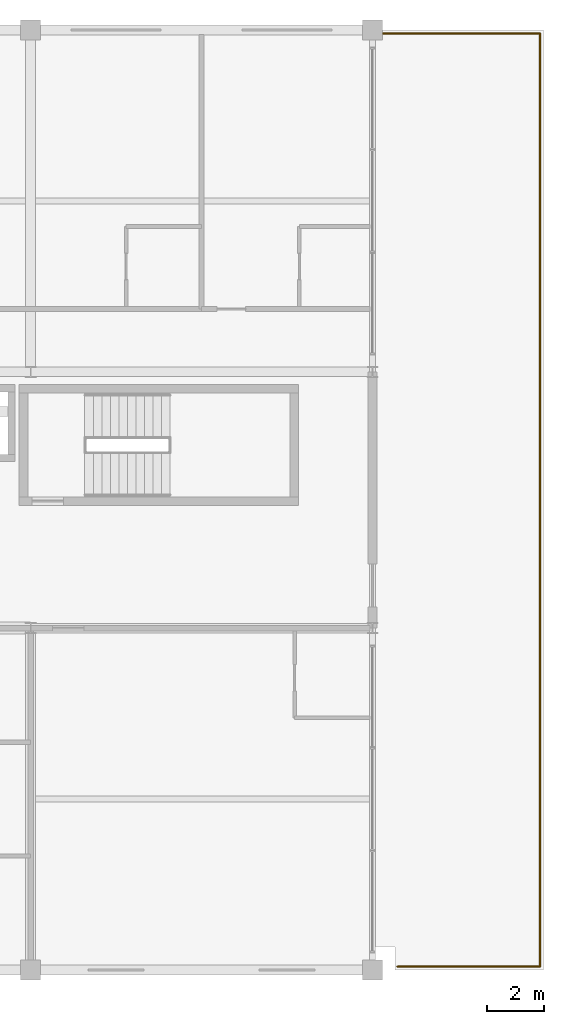
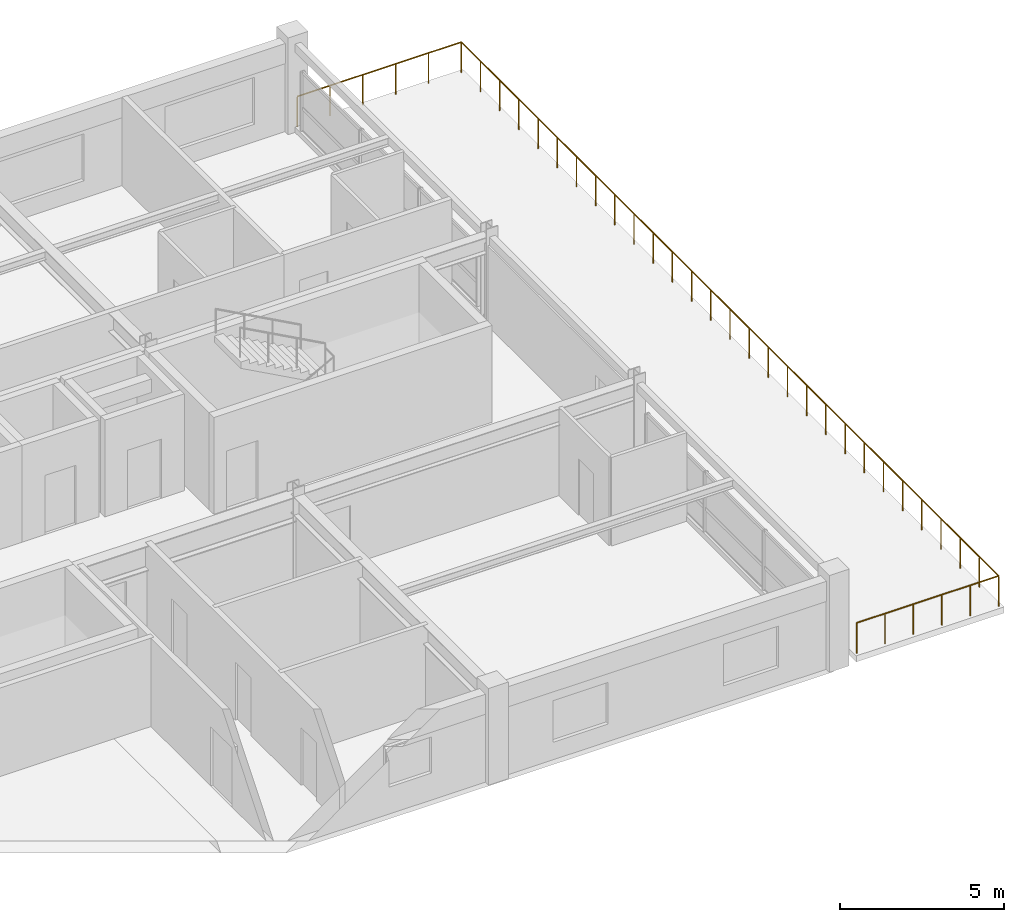
# One storey, part 24 of 24: 1 railing.
"""IFC4 building model written with IfcOpenShell, lengths in metres."""

from ifc_helpers import new_model, si_unit, direction, frame, origin, origin_2d, place, context, subcontext, project, spatial, circle, extrude, material, type_object, element, save


model = new_model("IFC4")

# Units and contexts
model_context = context("Model", 3, precision=1e-05, world=origin(), true_north=direction((0.0, 1.0)))
body_context = subcontext(model_context, "Body", "Model", "MODEL_VIEW")
ifc_project = project(units=[si_unit("LENGTHUNIT", "METRE"), si_unit("AREAUNIT", "SQUARE_METRE"), si_unit("VOLUMEUNIT", "CUBIC_METRE"), si_unit("PLANEANGLEUNIT", "RADIAN"), si_unit("MASSUNIT", "GRAM", prefix="KILO")], contexts=[model_context])

# Site, building, storey
site_placement = place(None, origin())
site = spatial("IfcSite", under=ifc_project, at=site_placement, CompositionType="ELEMENT")
building_placement = place(site_placement, origin())
building = spatial("IfcBuilding", under=site, at=building_placement, Name="Kaldorvane Square Convention Centre", CompositionType="ELEMENT")
storey_placement = place(building_placement, frame((0.0, 0.0, 60.0)))
storey = spatial("IfcBuildingStorey", under=building, at=storey_placement, Name="L14", CompositionType="ELEMENT", Elevation=60.0)

# Railing
ifc_material = material(Name="Architectural Painted Steel", Category="steel")
railing_type = type_object("IfcRailingType", Name="RL-TERR-1150", PredefinedType="BALUSTRADE", material=ifc_material)
railing_placement = place(storey_placement, frame((78.8800048828125, 84.1199951171875, 0.0)))
element("IfcRailing", 1, at=railing_placement, inside=storey, type_object=railing_type, Name="L14 East Diplomatic Terrace Guard", PredefinedType="BALUSTRADE", context=body_context, shape_type="SweptSolid", body=[
    extrude(circle(Radius=0.0240020751953125, at=origin_2d()), frame((0.0, 0.0, 1.1259918212890625), z_axis=(1.0, 0.0, 0.0), x_axis=(0.0, 1.0, 0.0)), (0.0, 0.0, 1.0), 5.0),
    extrude(circle(Radius=0.0240020751953125, at=origin_2d()), frame((5.0, 0.0, 1.1259918212890625), z_axis=(0.0, 1.0, 0.0), x_axis=(-1.0, 0.0, 0.0)), (0.0, 0.0, 1.0), 32.760009765625),
    extrude(circle(Radius=0.0240020751953125, at=origin_2d()), frame((5.0, 32.760009765625, 1.1259918212890625), z_axis=(-1.0, 0.0, 0.0), x_axis=(0.0, -1.0, 0.0)), (0.0, 0.0, 1.0), 5.779998779296875),
    extrude(circle(Radius=0.02099609375, at=origin_2d()), origin(), (0.0, 0.0, 1.0), 1.10198974609375),
    extrude(circle(Radius=0.02099609375, at=origin_2d()), frame((1.0, 0.0, 0.0)), (0.0, 0.0, 1.0), 1.10198974609375),
    extrude(circle(Radius=0.02099609375, at=origin_2d()), frame((2.0, 0.0, 0.0)), (0.0, 0.0, 1.0), 1.10198974609375),
    extrude(circle(Radius=0.02099609375, at=origin_2d()), frame((3.0, 0.0, 0.0)), (0.0, 0.0, 1.0), 1.10198974609375),
    extrude(circle(Radius=0.02099609375, at=origin_2d()), frame((4.0, 0.0, 0.0)), (0.0, 0.0, 1.0), 1.10198974609375),
    extrude(circle(Radius=0.02099609375, at=origin_2d()), frame((5.0, 0.0, 0.0)), (0.0, 0.0, 1.0), 1.10198974609375),
    extrude(circle(Radius=0.02099609375, at=origin_2d()), frame((5.0, 1.1699981689453125, 0.0)), (0.0, 0.0, 1.0), 1.10198974609375),
    extrude(circle(Radius=0.02099609375, at=origin_2d()), frame((5.0, 2.339996337890625, 0.0)), (0.0, 0.0, 1.0), 1.10198974609375),
    extrude(circle(Radius=0.02099609375, at=origin_2d()), frame((5.0, 3.5099945068359375, 0.0)), (0.0, 0.0, 1.0), 1.10198974609375),
    extrude(circle(Radius=0.02099609375, at=origin_2d()), frame((5.0, 4.6800079345703125, 0.0)), (0.0, 0.0, 1.0), 1.10198974609375),
    extrude(circle(Radius=0.02099609375, at=origin_2d()), frame((5.0, 5.850006103515625, 0.0)), (0.0, 0.0, 1.0), 1.10198974609375),
    extrude(circle(Radius=0.02099609375, at=origin_2d()), frame((5.0, 7.0200042724609375, 0.0)), (0.0, 0.0, 1.0), 1.10198974609375),
    extrude(circle(Radius=0.02099609375, at=origin_2d()), frame((5.0, 8.19000244140625, 0.0)), (0.0, 0.0, 1.0), 1.10198974609375),
    extrude(circle(Radius=0.02099609375, at=origin_2d()), frame((5.0, 9.360000610351562, 0.0)), (0.0, 0.0, 1.0), 1.10198974609375),
    extrude(circle(Radius=0.02099609375, at=origin_2d()), frame((5.0, 10.529998779296875, 0.0)), (0.0, 0.0, 1.0), 1.10198974609375),
    extrude(circle(Radius=0.02099609375, at=origin_2d()), frame((5.0, 11.699996948242188, 0.0)), (0.0, 0.0, 1.0), 1.10198974609375),
    extrude(circle(Radius=0.02099609375, at=origin_2d()), frame((5.0, 12.870010375976562, 0.0)), (0.0, 0.0, 1.0), 1.10198974609375),
    extrude(circle(Radius=0.02099609375, at=origin_2d()), frame((5.0, 14.040008544921875, 0.0)), (0.0, 0.0, 1.0), 1.10198974609375),
    extrude(circle(Radius=0.02099609375, at=origin_2d()), frame((5.0, 15.210006713867188, 0.0)), (0.0, 0.0, 1.0), 1.10198974609375),
    extrude(circle(Radius=0.02099609375, at=origin_2d()), frame((5.0, 16.3800048828125, 0.0)), (0.0, 0.0, 1.0), 1.10198974609375),
    extrude(circle(Radius=0.02099609375, at=origin_2d()), frame((5.0, 17.550003051757812, 0.0)), (0.0, 0.0, 1.0), 1.10198974609375),
    extrude(circle(Radius=0.02099609375, at=origin_2d()), frame((5.0, 18.720001220703125, 0.0)), (0.0, 0.0, 1.0), 1.10198974609375),
    extrude(circle(Radius=0.02099609375, at=origin_2d()), frame((5.0, 19.889999389648438, 0.0)), (0.0, 0.0, 1.0), 1.10198974609375),
    extrude(circle(Radius=0.02099609375, at=origin_2d()), frame((5.0, 21.060012817382812, 0.0)), (0.0, 0.0, 1.0), 1.10198974609375),
    extrude(circle(Radius=0.02099609375, at=origin_2d()), frame((5.0, 22.230010986328125, 0.0)), (0.0, 0.0, 1.0), 1.10198974609375),
    extrude(circle(Radius=0.02099609375, at=origin_2d()), frame((5.0, 23.400009155273438, 0.0)), (0.0, 0.0, 1.0), 1.10198974609375),
    extrude(circle(Radius=0.02099609375, at=origin_2d()), frame((5.0, 24.57000732421875, 0.0)), (0.0, 0.0, 1.0), 1.10198974609375),
    extrude(circle(Radius=0.02099609375, at=origin_2d()), frame((5.0, 25.740005493164062, 0.0)), (0.0, 0.0, 1.0), 1.10198974609375),
    extrude(circle(Radius=0.02099609375, at=origin_2d()), frame((5.0, 26.910003662109375, 0.0)), (0.0, 0.0, 1.0), 1.10198974609375),
    extrude(circle(Radius=0.02099609375, at=origin_2d()), frame((5.0, 28.080001831054688, 0.0)), (0.0, 0.0, 1.0), 1.10198974609375),
    extrude(circle(Radius=0.02099609375, at=origin_2d()), frame((5.0, 29.250015258789062, 0.0)), (0.0, 0.0, 1.0), 1.10198974609375),
    extrude(circle(Radius=0.02099609375, at=origin_2d()), frame((5.0, 30.420013427734375, 0.0)), (0.0, 0.0, 1.0), 1.10198974609375),
    extrude(circle(Radius=0.02099609375, at=origin_2d()), frame((5.0, 31.590011596679688, 0.0)), (0.0, 0.0, 1.0), 1.10198974609375),
    extrude(circle(Radius=0.02099609375, at=origin_2d()), frame((5.0, 32.760009765625, 0.0)), (0.0, 0.0, 1.0), 1.10198974609375),
    extrude(circle(Radius=0.02099609375, at=origin_2d()), frame((3.843994140625, 32.760009765625, 0.0)), (0.0, 0.0, 1.0), 1.10198974609375),
    extrude(circle(Radius=0.02099609375, at=origin_2d()), frame((2.6880035400390625, 32.760009765625, 0.0)), (0.0, 0.0, 1.0), 1.10198974609375),
    extrude(circle(Radius=0.02099609375, at=origin_2d()), frame((1.5319976806640625, 32.760009765625, 0.0)), (0.0, 0.0, 1.0), 1.10198974609375),
    extrude(circle(Radius=0.02099609375, at=origin_2d()), frame((0.376007080078125, 32.760009765625, 0.0)), (0.0, 0.0, 1.0), 1.10198974609375),
    extrude(circle(Radius=0.02099609375, at=origin_2d()), frame((-0.779998779296875, 32.760009765625, 0.0)), (0.0, 0.0, 1.0), 1.10198974609375),
])

save(model, "model.ifc")
